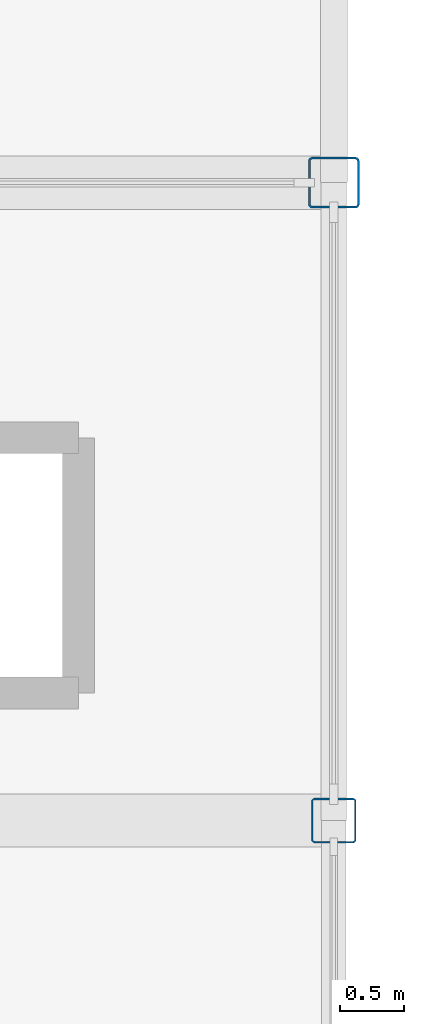
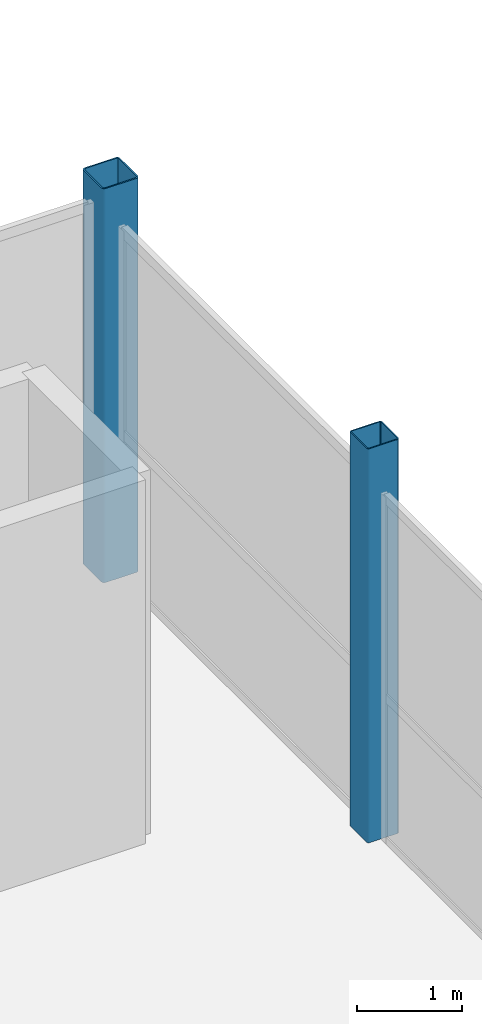
# One storey, part 6 of 50: 2 columns.
"""IFC4 building model written with IfcOpenShell, lengths in metres."""

from ifc_helpers import new_model, si_unit, direction, frame, origin, origin_2d, place, context, subcontext, project, spatial, hollow_rectangle, extrude, material, material_profile, profile_set, type_object, element, save


model = new_model("IFC4")

# Units and contexts
model_context = context("Model", 3, precision=1e-05, world=origin(), true_north=direction((0.0, 1.0)))
body_context = subcontext(model_context, "Body", "Model", "MODEL_VIEW")
ifc_project = project(units=[si_unit("LENGTHUNIT", "METRE"), si_unit("AREAUNIT", "SQUARE_METRE"), si_unit("VOLUMEUNIT", "CUBIC_METRE"), si_unit("PLANEANGLEUNIT", "RADIAN"), si_unit("MASSUNIT", "GRAM", prefix="KILO")], contexts=[model_context])

# Site, building, storey
site_placement = place(None, origin())
site = spatial("IfcSite", under=ifc_project, at=site_placement, CompositionType="ELEMENT")
building_placement = place(site_placement, origin())
building = spatial("IfcBuilding", under=site, at=building_placement, Name="Qamarlyn Nura Convention Centre", CompositionType="ELEMENT")
storey_placement = place(building_placement, frame((0.0, 0.0, 20.39990234375)))
storey = spatial("IfcBuildingStorey", under=building, at=storey_placement, Name="L04", CompositionType="ELEMENT", Elevation=20.39990234375)

# Columns
ifc_material = material(Name="Steel ASTM A500 Grade C", Category="steel")
ifc_material_profile_1 = material_profile(ifc_material, hollow_rectangle(XDim=0.39990234375, YDim=0.39990234375, WallThickness=0.01611328125, InnerFilletRadius=0.01611328125, OuterFilletRadius=0.031982421875, at=origin_2d()), Name="HSS400X400X16")
ifc_profile_set_1 = profile_set([ifc_material_profile_1], Name="Steel ASTM A500 Grade C")
column_type_1 = type_object("IfcColumnType", Name="COL-HSS-1", PredefinedType="COLUMN", material=ifc_profile_set_1)
column_1_placement = place(storey_placement, frame((192.0, 108.0, 0.0), z_axis=(0.0, 0.0, 1.0), x_axis=(1.0, 0.0, 0.0)))
element("IfcColumn", 1, at=column_1_placement, inside=storey, type_object=column_type_1, Name="L04 column 18/N", PredefinedType="COLUMN", context=body_context, shape_type="SweptSolid", body=[
    extrude(hollow_rectangle(XDim=0.39990234375, YDim=0.39990234375, WallThickness=0.01611328125, InnerFilletRadius=0.01611328125, OuterFilletRadius=0.031982421875, at=origin_2d()), origin(), (0.0, 0.0, 1.0), 4.56005859375),
])
ifc_material_profile_2 = material_profile(ifc_material, hollow_rectangle(XDim=0.35009765625, YDim=0.35009765625, WallThickness=0.012451171875, InnerFilletRadius=0.012451171875, OuterFilletRadius=0.02490234375, at=origin_2d()), Name="HSS350X350X12.5")
ifc_profile_set_2 = profile_set([ifc_material_profile_2], Name="Steel ASTM A500 Grade C")
column_type_2 = type_object("IfcColumnType", Name="COL-HSS-2", PredefinedType="COLUMN", material=ifc_profile_set_2)
column_2_placement = place(storey_placement, frame((192.0, 103.0, 0.0), z_axis=(0.0, 0.0, 1.0), x_axis=(1.0, 0.0, 0.0)))
element("IfcColumn", 2, at=column_2_placement, inside=storey, type_object=column_type_2, Name="L04 column 18/M", PredefinedType="COLUMN", context=body_context, shape_type="SweptSolid", body=[
    extrude(hollow_rectangle(XDim=0.35009765625, YDim=0.35009765625, WallThickness=0.012451171875, InnerFilletRadius=0.012451171875, OuterFilletRadius=0.02490234375, at=origin_2d()), origin(), (0.0, 0.0, 1.0), 4.56005859375),
])

save(model, "model.ifc")
